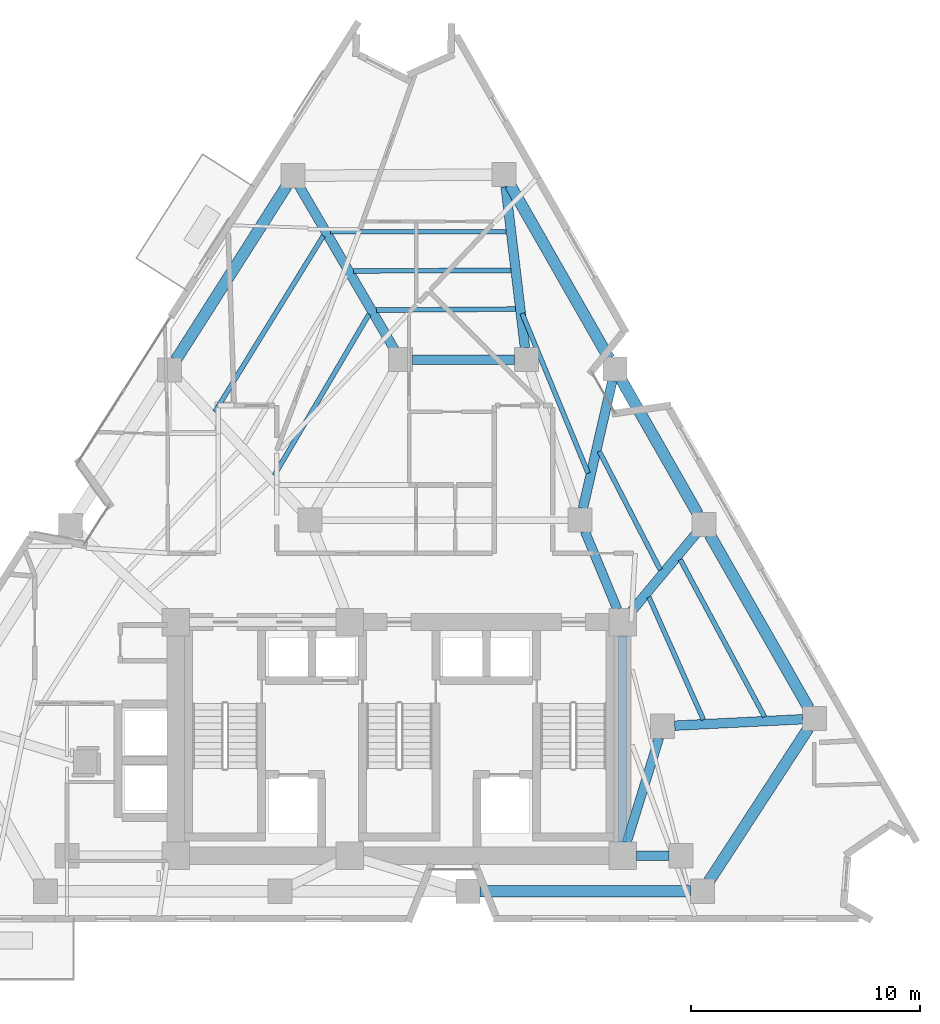
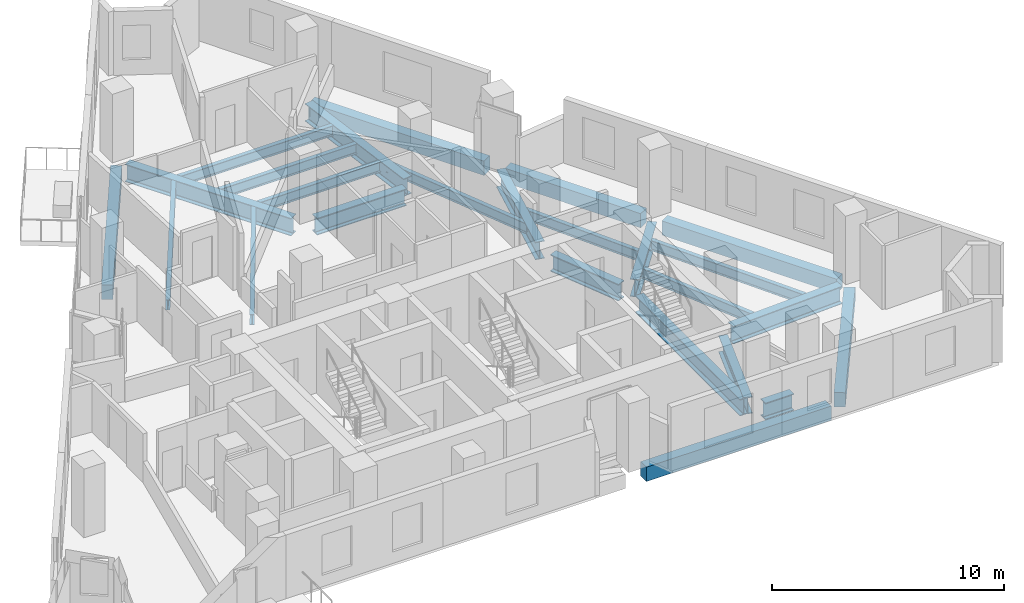
# One storey, part 3 of 11: 25 beams.
"""IFC4 building model written with IfcOpenShell, lengths in metres."""

from ifc_helpers import new_model, si_unit, direction, frame, origin, origin_2d, place, context, subcontext, project, spatial, rectangle, i_section, extrude, material, material_profile, profile_set, type_object, element, save


model = new_model("IFC4")

# Units and contexts
model_context = context("Model", 3, precision=1e-05, world=origin(), true_north=direction((0.0, 1.0)))
body_context = subcontext(model_context, "Body", "Model", "MODEL_VIEW")
ifc_project = project(units=[si_unit("LENGTHUNIT", "METRE"), si_unit("AREAUNIT", "SQUARE_METRE"), si_unit("VOLUMEUNIT", "CUBIC_METRE"), si_unit("PLANEANGLEUNIT", "RADIAN"), si_unit("MASSUNIT", "GRAM", prefix="KILO")], contexts=[model_context])

# Site, building, storey
site_placement = place(None, origin())
site = spatial("IfcSite", under=ifc_project, at=site_placement, CompositionType="ELEMENT")
building_placement = place(site_placement, origin())
building = spatial("IfcBuilding", under=site, at=building_placement, Name="Almagre Mirador Tower", CompositionType="ELEMENT")
storey_placement = place(building_placement, frame((0.0, 0.0, 150.0)))
storey = spatial("IfcBuildingStorey", under=building, at=storey_placement, Name="L38", CompositionType="ELEMENT", Elevation=150.0)

# Beams
ifc_material_1 = material(Name="Steel ASTM A992 Grade 50", Category="steel")
ifc_material_profile_1 = material_profile(ifc_material_1, i_section(OverallWidth=0.208984375, OverallDepth=0.532958984375, WebThickness=0.01025390625, FlangeThickness=0.015625, FilletRadius=0.01806640625, at=origin_2d()), Name="W21X62")
ifc_profile_set_1 = profile_set([ifc_material_profile_1], Name="Steel ASTM A992 Grade 50")
beam_type_1 = type_object("IfcBeamType", Name="BM-JST-W21X62", PredefinedType="JOIST", material=ifc_profile_set_1)
beam_1_placement = place(storey_placement, frame((53.2470703125, 10.6123046875, -0.5166015625), z_axis=(-0.472715568147, 0.881215065482, 0.0), x_axis=(-0.881215065482, -0.472715568147, 0.0)))
element("IfcBeam", 1, at=beam_1_placement, inside=storey, type_object=beam_type_1, Name="L38 secondary floor joist PC05-PC06.1", PredefinedType="JOIST", context=body_context, shape_type="SweptSolid", body=[
    extrude(i_section(OverallWidth=0.208984375, OverallDepth=0.532958984375, WebThickness=0.01025390625, FlangeThickness=0.015625, FilletRadius=0.01806640625, at=origin_2d()), origin(), (0.0, 0.0, 1.0), 7.7861328125),
])
beam_2_placement = place(storey_placement, frame((50.579833984375, 10.484619140625, -0.5166015625), z_axis=(-0.406842113196, 0.913498492024, 0.0), x_axis=(-0.913498492024, -0.406842113196, 0.0)))
element("IfcBeam", 2, at=beam_2_placement, inside=storey, type_object=beam_type_1, Name="L38 secondary floor joist PC05-PC06.3", PredefinedType="JOIST", context=body_context, shape_type="SweptSolid", body=[
    extrude(i_section(OverallWidth=0.208984375, OverallDepth=0.532958984375, WebThickness=0.01025390625, FlangeThickness=0.015625, FilletRadius=0.01806640625, at=origin_2d()), origin(), (0.0, 0.0, 1.0), 5.858154296875),
])
beam_3_placement = place(storey_placement, frame((48.69384765625, 17.0283203125, -0.5166015625), z_axis=(-0.457690265575, 0.889111703217, 0.0), x_axis=(-0.889111703217, -0.457690265575, 0.0)))
element("IfcBeam", 3, at=beam_3_placement, inside=storey, type_object=beam_type_1, Name="L38 secondary floor joist PC06-PC07.2", PredefinedType="JOIST", context=body_context, shape_type="SweptSolid", body=[
    extrude(i_section(OverallWidth=0.208984375, OverallDepth=0.532958984375, WebThickness=0.01025390625, FlangeThickness=0.015625, FilletRadius=0.01806640625, at=origin_2d()), origin(), (0.0, 0.0, 1.0), 5.818115234375),
])
beam_4_placement = place(storey_placement, frame((45.546875, 21.242431640625, -0.5166015625), z_axis=(-0.381909760144, 0.924199618647, 0.0), x_axis=(-0.924199618647, -0.381909760144, 0.0)))
element("IfcBeam", 4, at=beam_4_placement, inside=storey, type_object=beam_type_1, Name="L38 secondary floor joist PC07-PC08.3", PredefinedType="JOIST", context=body_context, shape_type="SweptSolid", body=[
    extrude(i_section(OverallWidth=0.208984375, OverallDepth=0.532958984375, WebThickness=0.01025390625, FlangeThickness=0.015625, FilletRadius=0.01806640625, at=origin_2d()), origin(), (0.0, 0.0, 1.0), 7.5458984375),
])
beam_5_placement = place(storey_placement, frame((41.971435546875, 31.785888671875, -0.5166015625), z_axis=(-0.999999707769, -0.000764501417, 0.0), x_axis=(0.000764501417, -0.999999707769, 0.0)))
element("IfcBeam", 5, at=beam_5_placement, inside=storey, type_object=beam_type_1, Name="L38 secondary floor joist PC08-PC09.1", PredefinedType="JOIST", context=body_context, shape_type="SweptSolid", body=[
    extrude(i_section(OverallWidth=0.208984375, OverallDepth=0.532958984375, WebThickness=0.01025390625, FlangeThickness=0.015625, FilletRadius=0.01806640625, at=origin_2d()), origin(), (0.0, 0.0, 1.0), 7.664306640625),
])
beam_6_placement = place(storey_placement, frame((42.173828125, 30.096923828125, -0.5166015625), z_axis=(-0.999993432119, -0.00362432328, 0.0), x_axis=(0.00362432328, -0.999993432119, 0.0)))
element("IfcBeam", 6, at=beam_6_placement, inside=storey, type_object=beam_type_1, Name="L38 secondary floor joist PC08-PC09.2", PredefinedType="JOIST", context=body_context, shape_type="SweptSolid", body=[
    extrude(i_section(OverallWidth=0.208984375, OverallDepth=0.532958984375, WebThickness=0.01025390625, FlangeThickness=0.015625, FilletRadius=0.01806640625, at=origin_2d()), origin(), (0.0, 0.0, 1.0), 6.870849609375),
])
beam_7_placement = place(storey_placement, frame((42.376220703125, 28.407958984375, -0.5166015625), z_axis=(-0.999973857717, -0.007230759426, 0.0), x_axis=(0.007230759426, -0.999973857717, 0.0)))
element("IfcBeam", 7, at=beam_7_placement, inside=storey, type_object=beam_type_1, Name="L38 secondary floor joist PC08-PC09.3", PredefinedType="JOIST", context=body_context, shape_type="SweptSolid", body=[
    extrude(i_section(OverallWidth=0.208984375, OverallDepth=0.532958984375, WebThickness=0.01025390625, FlangeThickness=0.015625, FilletRadius=0.01806640625, at=origin_2d()), origin(), (0.0, 0.0, 1.0), 6.07763671875),
])
beam_8_placement = place(storey_placement, frame((33.988525390625, 31.601806640625, -0.5166015625), z_axis=(-0.524723978191, -0.851272428022, 0.0), x_axis=(0.851272428022, -0.524723978191, 0.0)))
element("IfcBeam", 8, at=beam_8_placement, inside=storey, type_object=beam_type_1, Name="L38 secondary floor joist PC09-PC10.1", PredefinedType="JOIST", context=body_context, shape_type="SweptSolid", body=[
    extrude(i_section(OverallWidth=0.208984375, OverallDepth=0.532958984375, WebThickness=0.01025390625, FlangeThickness=0.015625, FilletRadius=0.01806640625, at=origin_2d()), origin(), (0.0, 0.0, 1.0), 9.020263671875),
])
beam_9_placement = place(storey_placement, frame((35.98388671875, 28.18212890625, -0.5166015625), z_axis=(-0.506949493814, -0.861975759939, 0.0), x_axis=(0.861975759939, -0.506949493814, 0.0)))
element("IfcBeam", 9, at=beam_9_placement, inside=storey, type_object=beam_type_1, Name="L38 secondary floor joist PC09-PC10.3", PredefinedType="JOIST", context=body_context, shape_type="SweptSolid", body=[
    extrude(i_section(OverallWidth=0.208984375, OverallDepth=0.532958984375, WebThickness=0.01025390625, FlangeThickness=0.015625, FilletRadius=0.01806640625, at=origin_2d()), origin(), (0.0, 0.0, 1.0), 8.1572265625),
])
ifc_material_2 = material(Name="Precast concrete C50/60", Category="concrete")
ifc_material_profile_2 = material_profile(ifc_material_2, rectangle(XDim=0.5, YDim=0.75, at=origin_2d()), Name="RC500X750")
ifc_profile_set_2 = profile_set([ifc_material_profile_2], Name="Precast concrete C50/60")
beam_type_2 = type_object("IfcBeamType", Name="BM-SPN-RC500X750", PredefinedType="SPANDREL", material=ifc_profile_set_2)
beam_10_placement = place(storey_placement, frame((40.821044921875, 3.0, -0.625), z_axis=(1.0, 0.0, 0.0), x_axis=(0.0, 1.0, 0.0)))
element("IfcBeam", 10, at=beam_10_placement, inside=storey, type_object=beam_type_2, Name="L38 perimeter spandrel beam PC03-PC04", PredefinedType="SPANDREL", context=body_context, shape_type="SweptSolid", body=[
    extrude(rectangle(XDim=0.5, YDim=0.75, at=origin_2d()), origin(), (0.0, 0.0, 1.0), 9.18994140625),
])
beam_11_placement = place(storey_placement, frame((50.822265625, 3.440185546875, -0.625), z_axis=(0.545085674256, 0.838380347885, 0.0), x_axis=(-0.838380347885, 0.545085674256, 0.0)))
element("IfcBeam", 11, at=beam_11_placement, inside=storey, type_object=beam_type_2, Name="L38 perimeter spandrel beam PC04-PC05", PredefinedType="SPANDREL", context=body_context, shape_type="SweptSolid", body=[
    extrude(rectangle(XDim=0.5, YDim=0.75, at=origin_2d()), origin(), (0.0, 0.0, 1.0), 7.935302734375),
])
beam_12_placement = place(storey_placement, frame((55.173828125, 10.989013671875, -0.625), z_axis=(-0.495713443993, 0.868486143496, 0.0), x_axis=(-0.868486143496, -0.495713443993, 0.0)))
element("IfcBeam", 12, at=beam_12_placement, inside=storey, type_object=beam_type_2, Name="L38 perimeter spandrel beam PC05-PC06", PredefinedType="SPANDREL", context=body_context, shape_type="SweptSolid", body=[
    extrude(rectangle(XDim=0.5, YDim=0.75, at=origin_2d()), origin(), (0.0, 0.0, 1.0), 8.7138671875),
])
beam_13_placement = place(storey_placement, frame((50.333740234375, 19.468994140625, -0.625), z_axis=(-0.495703346728, 0.868491906723, 0.0), x_axis=(-0.868491906723, -0.495703346728, 0.0)))
element("IfcBeam", 13, at=beam_13_placement, inside=storey, type_object=beam_type_2, Name="L38 perimeter spandrel beam PC06-PC07", PredefinedType="SPANDREL", context=body_context, shape_type="SweptSolid", body=[
    extrude(rectangle(XDim=0.5, YDim=0.75, at=origin_2d()), origin(), (0.0, 0.0, 1.0), 6.76123046875),
])
beam_14_placement = place(storey_placement, frame((46.4619140625, 26.2529296875, -0.625), z_axis=(-0.495722514223, 0.868480966339, 0.0), x_axis=(-0.868480966339, -0.495722514223, 0.0)))
element("IfcBeam", 14, at=beam_14_placement, inside=storey, type_object=beam_type_2, Name="L38 perimeter spandrel beam PC07-PC08", PredefinedType="SPANDREL", context=body_context, shape_type="SweptSolid", body=[
    extrude(rectangle(XDim=0.5, YDim=0.75, at=origin_2d()), origin(), (0.0, 0.0, 1.0), 8.714111328125),
])
beam_15_placement = place(storey_placement, frame((32.389892578125, 33.7841796875, -0.625), z_axis=(-0.53711935681, -0.84350625163, 0.0), x_axis=(0.84350625163, -0.53711935681, 0.0)))
element("IfcBeam", 15, at=beam_15_placement, inside=storey, type_object=beam_type_2, Name="L38 perimeter spandrel beam PC09-PC10", PredefinedType="SPANDREL", context=body_context, shape_type="SweptSolid", body=[
    extrude(rectangle(XDim=0.5, YDim=0.75, at=origin_2d()), origin(), (0.0, 0.0, 1.0), 9.00341796875),
])
ifc_material_3 = material(Name="Steel ASTM A992 Grade 50", Category="steel")
ifc_material_profile_3 = material_profile(ifc_material_3, i_section(OverallWidth=0.404052734375, OverallDepth=0.884033203125, WebThickness=0.0244140625, FlangeThickness=0.0439453125, FilletRadius=0.02490234375, at=origin_2d()), Name="W33X291")
ifc_profile_set_3 = profile_set([ifc_material_profile_3], Name="Steel ASTM A992 Grade 50")
beam_type_3 = type_object("IfcBeamType", Name="BM-STL-W33X291", PredefinedType="BEAM", material=ifc_profile_set_3)
beam_16_placement = place(storey_placement, frame((37.875, 26.199951171875, -0.69189453125), z_axis=(1.0, 0.0, 0.0), x_axis=(0.0, 1.0, 0.0)))
element("IfcBeam", 16, at=beam_16_placement, inside=storey, type_object=beam_type_3, Name="L38 core tie girder MC7-MC6", PredefinedType="BEAM", context=body_context, shape_type="SweptSolid", body=[
    extrude(i_section(OverallWidth=0.404052734375, OverallDepth=0.884033203125, WebThickness=0.0244140625, FlangeThickness=0.0439453125, FilletRadius=0.02490234375, at=origin_2d()), origin(), (0.0, 0.0, 1.0), 4.449951171875),
])
beam_17_placement = place(storey_placement, frame((47.050048828125, 5.14990234375, -0.69189453125), z_axis=(0.0, 1.0, 0.0), x_axis=(-1.0, 0.0, 0.0)))
element("IfcBeam", 17, at=beam_17_placement, inside=storey, type_object=beam_type_3, Name="L38 core tie girder CC3-CC6", PredefinedType="BEAM", context=body_context, shape_type="SweptSolid", body=[
    extrude(i_section(OverallWidth=0.404052734375, OverallDepth=0.884033203125, WebThickness=0.0244140625, FlangeThickness=0.0439453125, FilletRadius=0.02490234375, at=origin_2d()), origin(), (0.0, 0.0, 1.0), 9.0),
])
beam_18_placement = place(storey_placement, frame((49.074951171875, 4.550048828125, -0.69189453125), z_axis=(-1.0, 0.0, 0.0), x_axis=(0.0, -1.0, 0.0)))
element("IfcBeam", 18, at=beam_18_placement, inside=storey, type_object=beam_type_3, Name="L38 core tie girder MC2-CC3", PredefinedType="BEAM", context=body_context, shape_type="SweptSolid", body=[
    extrude(i_section(OverallWidth=0.404052734375, OverallDepth=0.884033203125, WebThickness=0.0244140625, FlangeThickness=0.0439453125, FilletRadius=0.02490234375, at=origin_2d()), origin(), (0.0, 0.0, 1.0), 1.425048828125),
])
beam_19_placement = place(storey_placement, frame((48.644775390625, 9.698486328125, -0.69189453125), z_axis=(-0.295879743348, -0.955225197258, 0.0), x_axis=(0.955225197258, -0.295879743348, 0.0)))
element("IfcBeam", 19, at=beam_19_placement, inside=storey, type_object=beam_type_3, Name="L38 core tie girder MC3-CC3", PredefinedType="BEAM", context=body_context, shape_type="SweptSolid", body=[
    extrude(i_section(OverallWidth=0.404052734375, OverallDepth=0.884033203125, WebThickness=0.0244140625, FlangeThickness=0.0439453125, FilletRadius=0.02490234375, at=origin_2d()), origin(), (0.0, 0.0, 1.0), 4.789794921875),
])
beam_20_placement = place(storey_placement, frame((45.401611328125, 18.715087890625, -0.69189453125), z_axis=(0.383845645019, -0.923397271384, 0.0), x_axis=(0.923397271384, 0.383845645019, 0.0)))
element("IfcBeam", 20, at=beam_20_placement, inside=storey, type_object=beam_type_3, Name="L38 core tie girder MC5-CC6", PredefinedType="BEAM", context=body_context, shape_type="SweptSolid", body=[
    extrude(i_section(OverallWidth=0.404052734375, OverallDepth=0.884033203125, WebThickness=0.0244140625, FlangeThickness=0.0439453125, FilletRadius=0.02490234375, at=origin_2d()), origin(), (0.0, 0.0, 1.0), 3.694091796875),
])
ifc_material_4 = material(Name="Steel ASTM A992 Grade 50", Category="steel")
ifc_material_profile_4 = material_profile(ifc_material_4, i_section(OverallWidth=0.41796875, OverallDepth=0.927001953125, WebThickness=0.019287109375, FlangeThickness=0.031982421875, FilletRadius=0.028076171875, at=origin_2d()), Name="W36X231")
ifc_profile_set_4 = profile_set([ifc_material_profile_4], Name="Steel ASTM A992 Grade 50")
beam_type_4 = type_object("IfcBeamType", Name="BM-STL-W36X231", PredefinedType="BEAM", material=ifc_profile_set_4)
beam_21_placement = place(storey_placement, frame((54.90966796875, 10.506591796875, -0.71337890625), z_axis=(-0.998743395924, -0.050116156068, 0.0), x_axis=(0.050116156068, -0.998743395924, 0.0)))
element("IfcBeam", 21, at=beam_21_placement, inside=storey, type_object=beam_type_4, Name="L38 radial floor girder PC05-MC3", PredefinedType="BEAM", context=body_context, shape_type="SweptSolid", body=[
    extrude(i_section(OverallWidth=0.41796875, OverallDepth=0.927001953125, WebThickness=0.019287109375, FlangeThickness=0.031982421875, FilletRadius=0.028076171875, at=origin_2d()), origin(), (0.0, 0.0, 1.0), 5.592529296875),
])
beam_22_placement = place(storey_placement, frame((50.25830078125, 18.609375, -0.71337890625), z_axis=(-0.639260058881, -0.768990622257, 0.0), x_axis=(0.768990622257, -0.639260058881, 0.0)))
element("IfcBeam", 22, at=beam_22_placement, inside=storey, type_object=beam_type_4, Name="L38 radial floor girder PC06-CC6", PredefinedType="BEAM", context=body_context, shape_type="SweptSolid", body=[
    extrude(i_section(OverallWidth=0.41796875, OverallDepth=0.927001953125, WebThickness=0.019287109375, FlangeThickness=0.031982421875, FilletRadius=0.028076171875, at=origin_2d()), origin(), (0.0, 0.0, 1.0), 4.418701171875),
])
beam_23_placement = place(storey_placement, frame((46.60400390625, 25.285400390625, -0.71337890625), z_axis=(-0.224800280545, -0.974404861373, 0.0), x_axis=(0.974404861373, -0.224800280545, 0.0)))
element("IfcBeam", 23, at=beam_23_placement, inside=storey, type_object=beam_type_4, Name="L38 radial floor girder PC07-MC5", PredefinedType="BEAM", context=body_context, shape_type="SweptSolid", body=[
    extrude(i_section(OverallWidth=0.41796875, OverallDepth=0.927001953125, WebThickness=0.019287109375, FlangeThickness=0.031982421875, FilletRadius=0.028076171875, at=origin_2d()), origin(), (0.0, 0.0, 1.0), 5.72021484375),
])
beam_24_placement = place(storey_placement, frame((41.944580078125, 33.755615234375, -0.71337890625), z_axis=(0.118990312316, -0.992895415225, 0.0), x_axis=(0.992895415225, 0.118990312316, 0.0)))
element("IfcBeam", 24, at=beam_24_placement, inside=storey, type_object=beam_type_4, Name="L38 radial floor girder PC08-MC6", PredefinedType="BEAM", context=body_context, shape_type="SweptSolid", body=[
    extrude(i_section(OverallWidth=0.41796875, OverallDepth=0.927001953125, WebThickness=0.019287109375, FlangeThickness=0.031982421875, FilletRadius=0.028076171875, at=origin_2d()), origin(), (0.0, 0.0, 1.0), 7.084716796875),
])
beam_25_placement = place(storey_placement, frame((32.936279296875, 33.7734375, -0.71337890625), z_axis=(0.503522841175, -0.863981914403, 0.0), x_axis=(0.863981914403, 0.503522841175, 0.0)))
element("IfcBeam", 25, at=beam_25_placement, inside=storey, type_object=beam_type_4, Name="L38 radial floor girder PC09-MC7", PredefinedType="BEAM", context=body_context, shape_type="SweptSolid", body=[
    extrude(i_section(OverallWidth=0.41796875, OverallDepth=0.927001953125, WebThickness=0.019287109375, FlangeThickness=0.031982421875, FilletRadius=0.028076171875, at=origin_2d()), origin(), (0.0, 0.0, 1.0), 8.24072265625),
])

save(model, "model.ifc")
